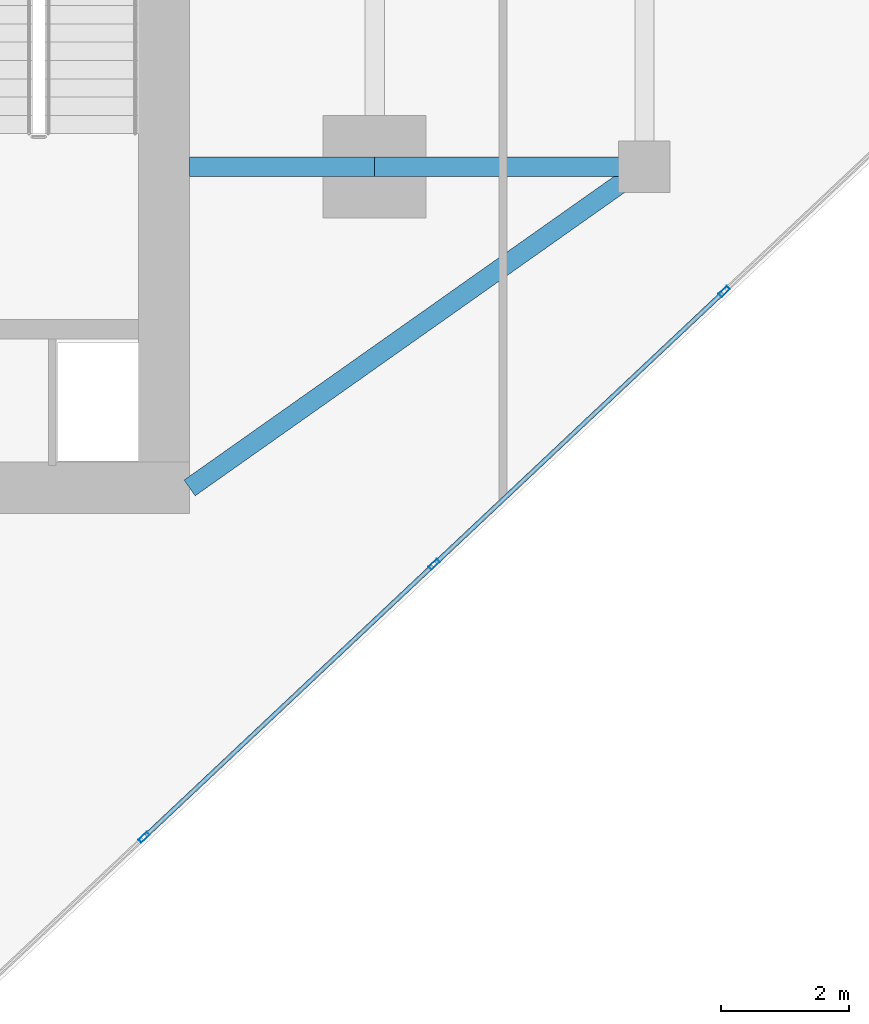
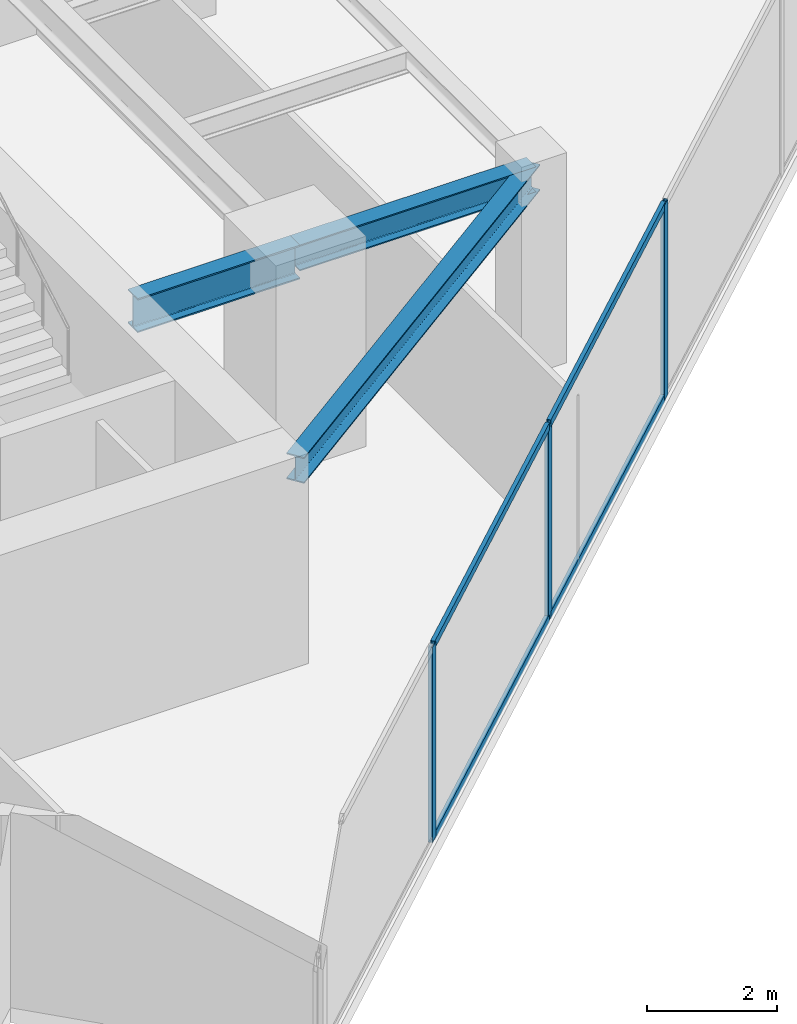
# One storey, part 9 of 24: 7 members, 3 beams, 1 element without a shape of its own.
"""IFC4 building model written with IfcOpenShell, lengths in metres."""

import ifcopenshell
import ifcopenshell.guid

model = None  # the IFC model being written
_history = None  # IfcOwnerHistory: only IFC2X3 demands one
_inside = {}  # id of a spatial element -> (the spatial element, [elements in it])
_under = {}  # id of a project, library or spatial element -> (it, [spatial elements below it])
_declared = {}  # id of a project -> (the project, [libraries it declares])
_typed = {}  # id of a type object -> (the type object, [elements of that type])
_made_of = {}  # id of a material, layer set ... -> (it, [elements and type objects made of it])


def new_model(schema):
    """Start an empty IFC model of exactly this schema.

    Asked for "IFC4X3", IfcOpenShell would pick the latest addendum, in which some entities
    have other attributes; the version numbers below select the first issue.
    IFC2X3 requires an IfcOwnerHistory on every rooted entity: one is made here for all.
    """
    global model, _history
    if schema == "IFC4X3":
        model = ifcopenshell.file(schema_version=(4, 3, 0, 0))
    else:
        model = ifcopenshell.file(schema=schema)
    _inside.clear()
    _under.clear()
    _declared.clear()
    _typed.clear()
    _made_of.clear()
    _history = None
    if model.schema == "IFC2X3":
        org = make("IfcOrganization", Name="unknown")
        user = make(
            "IfcPersonAndOrganization",
            ThePerson=make("IfcPerson", FamilyName="unknown"),
            TheOrganization=org,
        )
        app = make(
            "IfcApplication",
            ApplicationDeveloper=org,
            Version="unknown",
            ApplicationFullName="unknown",
            ApplicationIdentifier="unknown",
        )
        _history = make(
            "IfcOwnerHistory",
            OwningUser=user,
            OwningApplication=app,
            ChangeAction="ADDED",
            CreationDate=0,
        )
    return model


def make(cls, **values):
    """One entity of the class cls with the attributes given. An attribute that is None is left unset."""
    return model.create_entity(
        cls, **{name: value for name, value in values.items() if value is not None}
    )


def rooted(cls, **values):
    """An entity with a GlobalId (a new one), such as an element, a storey or a relation."""
    return make(cls, GlobalId=ifcopenshell.guid.new(), OwnerHistory=_history, **values)


def si_unit(unit_type, name, prefix=None):
    """IfcSIUnit, for example si_unit("LENGTHUNIT", "METRE", prefix="MILLI")."""
    return make("IfcSIUnit", UnitType=unit_type, Prefix=prefix, Name=name)


def assignment(units):
    """IfcUnitAssignment: the units of a project."""
    return None if units is None else make("IfcUnitAssignment", Units=units)


def point(xyz):
    """IfcCartesianPoint."""
    return None if xyz is None else make("IfcCartesianPoint", Coordinates=xyz)


def direction(xyz):
    """IfcDirection."""
    return None if xyz is None else make("IfcDirection", DirectionRatios=xyz)


def frame(location, z_axis=None, x_axis=None):
    """IfcAxis2Placement3D, a coordinate frame: its origin and axes. An axis left out is left unset."""
    return make(
        "IfcAxis2Placement3D",
        Location=point(location),
        Axis=direction(z_axis),
        RefDirection=direction(x_axis),
    )


def frame_2d(location, x_axis=None):
    """IfcAxis2Placement2D, a coordinate frame in the plane: its origin and x axis."""
    return make(
        "IfcAxis2Placement2D", Location=point(location), RefDirection=direction(x_axis)
    )


def origin():
    """The frame at (0, 0, 0) with its axes left unset."""
    return frame((0.0, 0.0, 0.0))


def origin_2d():
    """The frame at (0, 0) in the plane with its x axis left unset."""
    return frame_2d((0.0, 0.0))


def place(relative_to, where):
    """IfcLocalPlacement: puts the frame where relative to a parent placement (None: the world)."""
    return make(
        "IfcLocalPlacement", PlacementRelTo=relative_to, RelativePlacement=where
    )


def context(
    kind, dimensions, precision=None, world=None, true_north=None, identifier=None
):
    """IfcGeometricRepresentationContext, for example the 3D "Model" context."""
    return make(
        "IfcGeometricRepresentationContext",
        ContextIdentifier=identifier,
        ContextType=kind,
        CoordinateSpaceDimension=dimensions,
        Precision=precision,
        WorldCoordinateSystem=world,
        TrueNorth=true_north,
    )


def subcontext(parent, identifier, kind, view, scale=None):
    """IfcGeometricRepresentationSubContext, for example "Body" below "Model"."""
    return make(
        "IfcGeometricRepresentationSubContext",
        ContextIdentifier=identifier,
        ContextType=kind,
        ParentContext=parent,
        TargetScale=scale,
        TargetView=view,
    )


def project(units=None, contexts=None):
    """IfcProject with its units and contexts."""
    return rooted(
        "IfcProject",
        Name="project",
        RepresentationContexts=contexts,
        UnitsInContext=assignment(units),
    )


def spatial(cls, under=None, at=None, **own):
    """A site, building, storey or space (cls), placed at a placement, below another one or the project."""
    s = rooted(cls, ObjectPlacement=at, **own)
    if under is not None:
        _under.setdefault(under.id(), (under, []))[1].append(s)
    return s


def profile(cls, at=None, kind="AREA", **sizes):
    """A parametric profile (cls). Its sizes go by their IFC names, for example OverallWidth=200.0."""
    return make(cls, ProfileType=kind, Position=at, **sizes)


def hollow_rectangle(**sizes):
    """IfcRectangleHollowProfileDef."""
    return profile("IfcRectangleHollowProfileDef", **sizes)


def i_section(**sizes):
    """IfcIShapeProfileDef."""
    return profile("IfcIShapeProfileDef", **sizes)


def extrude(swept, where, along, depth):
    """IfcExtrudedAreaSolid: the profile swept, set in the frame where, extruded along a direction by depth."""
    return make(
        "IfcExtrudedAreaSolid",
        SweptArea=swept,
        Position=where,
        ExtrudedDirection=direction(along),
        Depth=depth,
    )


def shape(context_of_items, identifier, shape_type, items):
    """IfcShapeRepresentation: the items that make up one representation, for example the "Body"."""
    return make(
        "IfcShapeRepresentation",
        ContextOfItems=context_of_items,
        RepresentationIdentifier=identifier,
        RepresentationType=shape_type,
        Items=items,
    )


def source(mapping_origin, context_of_items, identifier, shape_type, items):
    """IfcRepresentationMap: a shape defined once, which mapped items show again and again."""
    return make(
        "IfcRepresentationMap",
        MappingOrigin=mapping_origin,
        MappedRepresentation=shape(context_of_items, identifier, shape_type, items),
    )


def transform(
    local_origin,
    x_axis=None,
    y_axis=None,
    z_axis=None,
    scale=None,
    scale2=None,
    scale3=None,
    uniform=True,
):
    """IfcCartesianTransformationOperator3D, or its non-uniform kind. x_axis, y_axis, z_axis: its Axis1, 2, 3."""
    if uniform:
        return make(
            "IfcCartesianTransformationOperator3D",
            Axis1=direction(x_axis),
            Axis2=direction(y_axis),
            LocalOrigin=point(local_origin),
            Scale=scale,
            Axis3=direction(z_axis),
        )
    return make(
        "IfcCartesianTransformationOperator3DnonUniform",
        Axis1=direction(x_axis),
        Axis2=direction(y_axis),
        LocalOrigin=point(local_origin),
        Scale=scale,
        Axis3=direction(z_axis),
        Scale2=scale2,
        Scale3=scale3,
    )


def mapped(mapping_source, mapping_target):
    """IfcMappedItem: shows the shape of a source again, moved by a transform."""
    return make(
        "IfcMappedItem", MappingSource=mapping_source, MappingTarget=mapping_target
    )


def material(Name=None, Category=None):
    """IfcMaterial."""
    return make("IfcMaterial", Name=Name, Category=Category)


def material_profile(
    of_material, cross_section, Name=None, Category=None, Priority=None
):
    """IfcMaterialProfile: a cross section and its material."""
    return make(
        "IfcMaterialProfile",
        Name=Name,
        Material=of_material,
        Profile=cross_section,
        Priority=Priority,
        Category=Category,
    )


def profile_set(profiles, Name=None, composite=None):
    """IfcMaterialProfileSet."""
    return make(
        "IfcMaterialProfileSet",
        Name=Name,
        MaterialProfiles=profiles,
        CompositeProfile=composite,
    )


def made_of(thing, what):
    """Note that an element or type object is made of a material, layer set ...; save() writes the relation."""
    if what is not None:
        _made_of.setdefault(what.id(), (what, []))[1].append(thing)
    return thing


def type_object(cls, material=None, **own):
    """A type object (cls), such as IfcWallType, which elements share."""
    return made_of(rooted(cls, **own), material)


def type_shapes(of_type, sources):
    """Give a type object the sources (RepresentationMaps) that its elements show as mapped items."""
    of_type.RepresentationMaps = sources


def element(
    cls,
    number,
    at=None,
    inside=None,
    cuts=None,
    type_object=None,
    material=None,
    context=None,
    identifier="Body",
    shape_type=None,
    held_by="IfcProductDefinitionShape",
    body=None,
    shapes=None,
    **own,
):
    """One element of the class cls, such as IfcWall. Its Tag is "e" and its number.

    at: its placement. inside: the storey or other place that contains it. cuts: it is an
    opening in that element (IfcRelVoidsElement). A single representation is given by context,
    identifier, shape_type and body (its items); several are given by shapes. held_by: the class
    of the entity that holds the representations. save() writes the other relations.
    """
    e = rooted(cls, Tag="e%d" % number, ObjectPlacement=at, **own)
    if body is not None:
        shapes = [shape(context, identifier, shape_type, body)]
    if shapes is not None:
        e.Representation = make(held_by, Representations=shapes)
    if inside is not None:
        _inside.setdefault(inside.id(), (inside, []))[1].append(e)
    if cuts is not None:
        rooted(
            "IfcRelVoidsElement", RelatingBuildingElement=cuts, RelatedOpeningElement=e
        )
    if type_object is not None:
        _typed.setdefault(type_object.id(), (type_object, []))[1].append(e)
    return made_of(e, material)


def aggregate(whole, parts):
    """IfcRelAggregates: a whole, such as a stair, and the parts it consists of."""
    return rooted("IfcRelAggregates", RelatingObject=whole, RelatedObjects=parts)


def save(model, path):
    """Write the relations noted so far, then the file.

    IfcRelAggregates (storeys below a building ...), IfcRelContainedInSpatialStructure (elements
    in a storey), IfcRelDefinesByType, IfcRelAssociatesMaterial and IfcRelDeclares: one each for
    every whole, place, type object, material and project.
    """
    for whole, parts in _under.values():
        aggregate(whole, parts)
    for where, things in _inside.values():
        rooted(
            "IfcRelContainedInSpatialStructure",
            RelatedElements=things,
            RelatingStructure=where,
        )
    for kind, things in _typed.values():
        rooted("IfcRelDefinesByType", RelatedObjects=things, RelatingType=kind)
    for what, things in _made_of.values():
        rooted("IfcRelAssociatesMaterial", RelatedObjects=things, RelatingMaterial=what)
    for by, libraries in _declared.values():
        rooted("IfcRelDeclares", RelatingContext=by, RelatedDefinitions=libraries)
    model.write(path)


model = new_model("IFC4")

# Units and contexts
model_context = context("Model", 3, precision=1e-05, world=origin(), true_north=direction((0.0, 1.0)))
body_context = subcontext(model_context, "Body", "Model", "MODEL_VIEW")
ifc_project = project(units=[si_unit("LENGTHUNIT", "METRE"), si_unit("AREAUNIT", "SQUARE_METRE"), si_unit("VOLUMEUNIT", "CUBIC_METRE"), si_unit("PLANEANGLEUNIT", "RADIAN"), si_unit("MASSUNIT", "GRAM", prefix="KILO")], contexts=[model_context])

# Site, building, storey
site_placement = place(None, origin())
site = spatial("IfcSite", under=ifc_project, at=site_placement, CompositionType="ELEMENT")
building_placement = place(site_placement, origin())
building = spatial("IfcBuilding", under=site, at=building_placement, Name="Krantzveldt Concourse Tower", CompositionType="ELEMENT")
storey_placement = place(building_placement, frame((0.0, 0.0, 242.85009765625)))
storey = spatial("IfcBuildingStorey", under=building, at=storey_placement, Name="L59", CompositionType="ELEMENT", Elevation=242.85009765625)

# Beams
ifc_material_1 = material(Name="Steel S355JR", Category="steel")
ifc_material_profile_1 = material_profile(ifc_material_1, i_section(OverallWidth=0.300048828125, OverallDepth=0.639892578125, WebThickness=0.013427734375, FlangeThickness=0.02587890625, FilletRadius=0.027099609375, at=origin_2d()), Name="Steel S355JR", Category="steel")
ifc_profile_set_1 = profile_set([ifc_material_profile_1], Name="Steel S355JR - HEA 650")
beam_type_1 = type_object("IfcBeamType", Name="BM-B-HEA650", PredefinedType="BEAM", material=ifc_profile_set_1)
shared_shape_1 = source(origin(), body_context, "Body", "SweptSolid", [
    extrude(i_section(OverallWidth=0.300048828125, OverallDepth=0.639892578125, WebThickness=0.013427734375, FlangeThickness=0.02587890625, FilletRadius=0.027099609375, at=origin_2d()), origin(), (0.0, 0.0, 1.0), 2.880126953125),
])
type_shapes(beam_type_1, [shared_shape_1])
beam_1_placement = place(storey_placement, frame((43.919921875, 15.89990234375, 3.349853515625), z_axis=(1.0, 0.0, 0.0), x_axis=(0.0, 1.0, 0.0)))
element("IfcBeam", 1, at=beam_1_placement, inside=storey, type_object=beam_type_1, Name="L59 Tower Girder BG-CE1", PredefinedType="BEAM", context=body_context, shape_type="MappedRepresentation", body=[
    mapped(shared_shape_1, transform((0.0, 0.0, 0.0), x_axis=(1.0, 0.0, 0.0), y_axis=(0.0, 1.0, 0.0), z_axis=(0.0, 0.0, 1.0), scale=1.0)),
])
ifc_material_profile_2 = material_profile(ifc_material_1, i_section(OverallWidth=0.300048828125, OverallDepth=0.489990234375, WebThickness=0.011962890625, FlangeThickness=0.02294921875, FilletRadius=0.027099609375, at=origin_2d()), Name="Steel S355JR", Category="steel")
ifc_profile_set_2 = profile_set([ifc_material_profile_2], Name="Steel S355JR - HEA 500")
beam_type_2 = type_object("IfcBeamType", Name="BM-B-HEA500", PredefinedType="BEAM", material=ifc_profile_set_2)
shared_shape_2 = source(origin(), body_context, "Body", "SweptSolid", [
    extrude(i_section(OverallWidth=0.300048828125, OverallDepth=0.489990234375, WebThickness=0.011962890625, FlangeThickness=0.02294921875, FilletRadius=0.027099609375, at=origin_2d()), origin(), (0.0, 0.0, 1.0), 4.199951171875),
])
beam_2_placement = place(storey_placement, frame((46.800048828125, 15.89990234375, 3.4248046875), z_axis=(1.0, 0.0, 0.0), x_axis=(0.0, 1.0, 0.0)))
element("IfcBeam", 2, at=beam_2_placement, inside=storey, type_object=beam_type_2, Name="L59 Tower Girder BR-RR1", PredefinedType="BEAM", context=body_context, shape_type="MappedRepresentation", body=[
    mapped(shared_shape_2, transform((0.0, 0.0, 0.0), x_axis=(1.0, 0.0, 0.0), y_axis=(0.0, 1.0, 0.0), z_axis=(0.0, 0.0, 1.0), scale=1.0)),
])
shared_shape_3 = source(origin(), body_context, "Body", "SweptSolid", [
    extrude(i_section(OverallWidth=0.300048828125, OverallDepth=0.489990234375, WebThickness=0.011962890625, FlangeThickness=0.02294921875, FilletRadius=0.027099609375, at=origin_2d()), origin(), (0.0, 0.0, 1.0), 8.667724609375),
])
type_shapes(beam_type_2, [shared_shape_2, shared_shape_3])
beam_3_placement = place(storey_placement, frame((51.0, 15.89990234375, 3.4248046875), z_axis=(-0.81684294656, -0.576860122261, 0.0), x_axis=(0.576860122261, -0.81684294656, 0.0)))
element("IfcBeam", 3, at=beam_3_placement, inside=storey, type_object=beam_type_2, Name="L59 Tower Girder BR-CSE", PredefinedType="BEAM", context=body_context, shape_type="MappedRepresentation", body=[
    mapped(shared_shape_3, transform((0.0, 0.0, 0.0), x_axis=(1.0, 0.0, 0.0), y_axis=(0.0, 1.0, 0.0), z_axis=(0.0, 0.0, 1.0), scale=1.0)),
])

# Curtain wall, members
ifc_material_2 = material(Name="Anodised aluminium 6063-T6", Category="aluminium")
curtain_wall_type = type_object("IfcCurtainWallType", Name="CW3", PredefinedType="USERDEFINED", material=ifc_material_2)
curtain_wall_placement = place(storey_placement, origin())
curtain_wall = element("IfcCurtainWall", 4, at=curtain_wall_placement, inside=storey, type_object=curtain_wall_type, Name="CW-L59-F11", ObjectType="UNITISED CURTAIN WALL", PredefinedType="USERDEFINED")
ifc_material_profile_3 = material_profile(ifc_material_2, hollow_rectangle(XDim=0.070068359375, YDim=0.179931640625, WallThickness=0.0048828125, at=origin_2d()), Name="Anodised aluminium 6063-T6", Category="aluminium")
ifc_profile_set_3 = profile_set([ifc_material_profile_3], Name="Anodised aluminium 6063-T6 - ALU-MULL 180x70x5")
member_type_1 = type_object("IfcMemberType", Name="CW-MUL-180", PredefinedType="MULLION", material=ifc_profile_set_3)
shared_shape_4 = source(origin(), body_context, "Body", "SweptSolid", [
    extrude(hollow_rectangle(XDim=0.070068359375, YDim=0.179931640625, WallThickness=0.0048828125, at=origin_2d()), origin(), (0.0, 0.0, 1.0), 3.669921875),
])
type_shapes(member_type_1, [shared_shape_4])
member_1_placement = place(storey_placement, frame((43.210693359375, 5.461669921875, 0.0), z_axis=(0.0, 0.0, 1.0), x_axis=(-0.685182945184, 0.728371012348, 0.0)))
member_1 = element("IfcMember", 5, at=member_1_placement, type_object=member_type_1, Name="CW-Z34 mullion 2", PredefinedType="MULLION", context=body_context, shape_type="MappedRepresentation", body=[
    mapped(shared_shape_4, transform((0.0, 0.0, 0.0), x_axis=(1.0, 0.0, 0.0), y_axis=(0.0, 1.0, 0.0), z_axis=(0.0, 0.0, 1.0), scale=1.0)),
])
member_2_placement = place(storey_placement, frame((47.7265625, 9.7099609375, 0.0), z_axis=(0.0, 0.0, 1.0), x_axis=(-0.685182945184, 0.728371012348, 0.0)))
member_2 = element("IfcMember", 6, at=member_2_placement, type_object=member_type_1, Name="CW-Z34 mullion 3", PredefinedType="MULLION", context=body_context, shape_type="MappedRepresentation", body=[
    mapped(shared_shape_4, transform((0.0, 0.0, 0.0), x_axis=(1.0, 0.0, 0.0), y_axis=(0.0, 1.0, 0.0), z_axis=(0.0, 0.0, 1.0), scale=1.0)),
])
member_3_placement = place(storey_placement, frame((52.242431640625, 13.9580078125, 0.0), z_axis=(0.0, 0.0, 1.0), x_axis=(-0.685182945184, 0.728371012348, 0.0)))
member_3 = element("IfcMember", 7, at=member_3_placement, type_object=member_type_1, Name="CW-Z34 mullion 4", PredefinedType="MULLION", context=body_context, shape_type="MappedRepresentation", body=[
    mapped(shared_shape_4, transform((0.0, 0.0, 0.0), x_axis=(1.0, 0.0, 0.0), y_axis=(0.0, 1.0, 0.0), z_axis=(0.0, 0.0, 1.0), scale=1.0)),
])
ifc_material_profile_4 = material_profile(ifc_material_2, hollow_rectangle(XDim=0.070068359375, YDim=0.139892578125, WallThickness=0.0048828125, at=origin_2d()), Name="Anodised aluminium 6063-T6", Category="aluminium")
ifc_profile_set_4 = profile_set([ifc_material_profile_4], Name="Anodised aluminium 6063-T6 - ALU-TRAN 140x70x5")
member_type_2 = type_object("IfcMemberType", Name="CW-TRN-150", PredefinedType="USERDEFINED", material=ifc_profile_set_4)
shared_shape_5 = source(origin(), body_context, "Body", "SweptSolid", [
    extrude(hollow_rectangle(XDim=0.070068359375, YDim=0.139892578125, WallThickness=0.0048828125, at=origin_2d()), origin(), (0.0, 0.0, 1.0), 6.1298828125),
])
type_shapes(member_type_2, [shared_shape_5])
member_4_placement = place(storey_placement, frame((43.236328125, 5.48583984375, 0.034912109375), z_axis=(0.728383543053, 0.685169624406, 0.0), x_axis=(-0.685169624406, 0.728383543053, 0.0)))
member_4 = element("IfcMember", 8, at=member_4_placement, type_object=member_type_2, Name="CW-Z34 transom 2.1", ObjectType="TRANSOM", PredefinedType="USERDEFINED", context=body_context, shape_type="MappedRepresentation", body=[
    mapped(shared_shape_5, transform((0.0, 0.0, 0.0), x_axis=(1.0, 0.0, 0.0), y_axis=(0.0, 1.0, 0.0), z_axis=(0.0, 0.0, 1.0), scale=1.0)),
])
member_5_placement = place(storey_placement, frame((43.236328125, 5.48583984375, 3.635009765625), z_axis=(0.728383543053, 0.685169624406, 0.0), x_axis=(-0.685169624406, 0.728383543053, 0.0)))
member_5 = element("IfcMember", 9, at=member_5_placement, type_object=member_type_2, Name="CW-Z34 transom 2.2", ObjectType="TRANSOM", PredefinedType="USERDEFINED", context=body_context, shape_type="MappedRepresentation", body=[
    mapped(shared_shape_5, transform((0.0, 0.0, 0.0), x_axis=(1.0, 0.0, 0.0), y_axis=(0.0, 1.0, 0.0), z_axis=(0.0, 0.0, 1.0), scale=1.0)),
])
member_6_placement = place(storey_placement, frame((47.752197265625, 9.73388671875, 0.034912109375), z_axis=(0.72836366623, 0.685190754255, 0.0), x_axis=(-0.685190754255, 0.72836366623, 0.0)))
member_6 = element("IfcMember", 10, at=member_6_placement, type_object=member_type_2, Name="CW-Z34 transom 3.1", ObjectType="TRANSOM", PredefinedType="USERDEFINED", context=body_context, shape_type="MappedRepresentation", body=[
    mapped(shared_shape_5, transform((0.0, 0.0, 0.0), x_axis=(1.0, 0.0, 0.0), y_axis=(0.0, 1.0, 0.0), z_axis=(0.0, 0.0, 1.0), scale=1.0)),
])
member_7_placement = place(storey_placement, frame((47.752197265625, 9.73388671875, 3.635009765625), z_axis=(0.72836366623, 0.685190754255, 0.0), x_axis=(-0.685190754255, 0.72836366623, 0.0)))
member_7 = element("IfcMember", 11, at=member_7_placement, type_object=member_type_2, Name="CW-Z34 transom 3.2", ObjectType="TRANSOM", PredefinedType="USERDEFINED", context=body_context, shape_type="MappedRepresentation", body=[
    mapped(shared_shape_5, transform((0.0, 0.0, 0.0), x_axis=(1.0, 0.0, 0.0), y_axis=(0.0, 1.0, 0.0), z_axis=(0.0, 0.0, 1.0), scale=1.0)),
])
aggregate(curtain_wall, [member_1, member_2, member_3, member_4, member_5, member_6, member_7])

save(model, "model.ifc")
